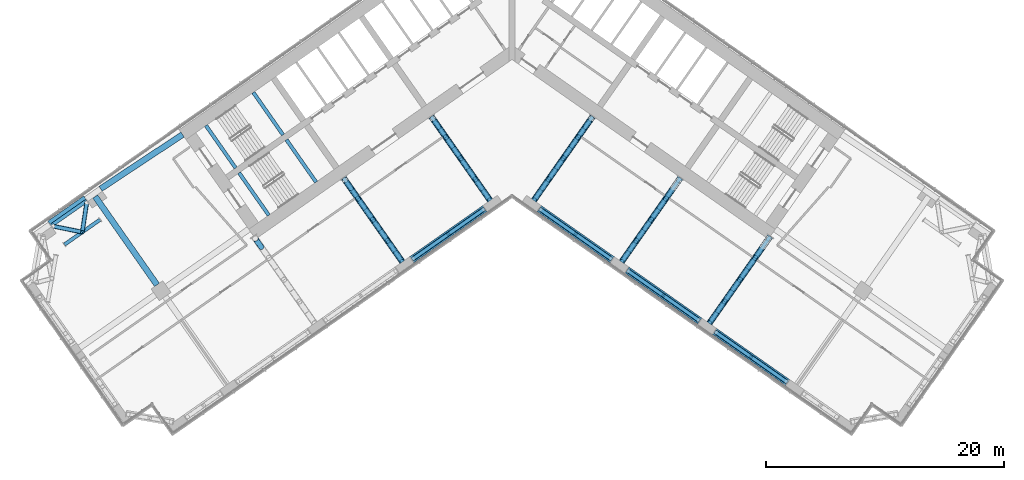
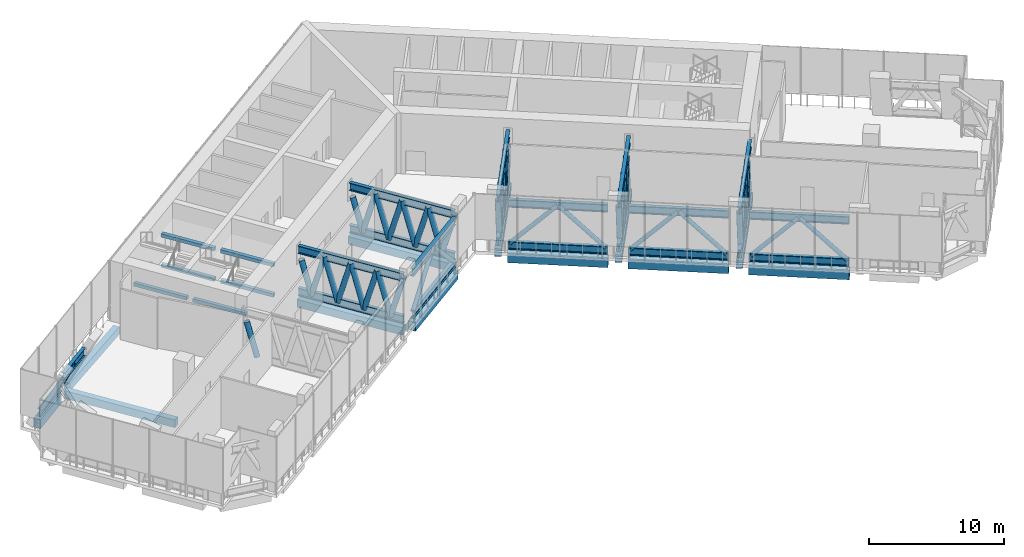
# One storey, part 2 of 24: 69 members, 18 beams.
"""IFC4 building model written with IfcOpenShell, lengths in metres."""

from ifc_helpers import new_model, si_unit, direction, frame, origin, origin_2d, place, context, subcontext, project, spatial, rectangle, hollow_circle, i_section, extrude, material, material_profile, profile_set, type_object, element, save


model = new_model("IFC4")

# Units and contexts
model_context = context("Model", 3, precision=1e-05, world=origin(), true_north=direction((0.0, 1.0)))
body_context = subcontext(model_context, "Body", "Model", "MODEL_VIEW")
ifc_project = project(units=[si_unit("LENGTHUNIT", "METRE"), si_unit("AREAUNIT", "SQUARE_METRE"), si_unit("VOLUMEUNIT", "CUBIC_METRE"), si_unit("PLANEANGLEUNIT", "RADIAN"), si_unit("MASSUNIT", "GRAM", prefix="KILO")], contexts=[model_context])

# Site, building, storey
site_placement = place(None, origin())
site = spatial("IfcSite", under=ifc_project, at=site_placement, CompositionType="ELEMENT")
building_placement = place(site_placement, origin())
building = spatial("IfcBuilding", under=site, at=building_placement, Name="Tel Ilan Convention Tower", CompositionType="ELEMENT")
storey_placement = place(building_placement, frame((0.0, 0.0, 126.5)))
storey = spatial("IfcBuildingStorey", under=building, at=storey_placement, Name="L28", CompositionType="ELEMENT", Elevation=126.5)

# Beams
ifc_material_1 = material(Name="Concrete C40/50", Category="concrete")
ifc_material_profile_1 = material_profile(ifc_material_1, rectangle(XDim=0.5, YDim=0.699951171875, at=origin_2d()), Name="RC 500x700")
ifc_profile_set_1 = profile_set([ifc_material_profile_1], Name="Concrete C40/50")
beam_type_1 = type_object("IfcBeamType", Name="Beam RC 500x700 Concrete C40/50", PredefinedType="BEAM", material=ifc_profile_set_1)
beam_1_placement = place(storey_placement, frame((-34.570556640625, -12.08447265625, -0.6298828125), z_axis=(0.834273603487, 0.551350663847, 0.0), x_axis=(-0.551350663847, 0.834273603487, 0.0)))
element("IfcBeam", 1, at=beam_1_placement, inside=storey, type_object=beam_type_1, Name="L28 beam W-W-B4-core", PredefinedType="BEAM", context=body_context, shape_type="SweptSolid", body=[
    extrude(rectangle(XDim=0.5, YDim=0.699951171875, at=origin_2d()), origin(), (0.0, 0.0, 1.0), 8.2529296875),
])
for number, where, z_axis, x_axis, name in (
    (2, (-1.83740234375, -13.06689453125, -0.6298828125), (-0.573574099654, 0.819153680457, 0.0), (-0.819153680457, -0.573574099654, 0.0), "L28 beam W-W-F1-core"),
    (3, (-9.209716796875, -18.229248046875, -0.6298828125), (-0.573574099654, 0.819153680457, 0.0), (-0.819153680457, -0.573574099654, 0.0), "L28 beam W-W-F2-core"),
):
    element("IfcBeam", number, at=place(storey_placement, frame(where, z_axis=z_axis, x_axis=x_axis)), inside=storey, type_object=beam_type_1, Name=name, PredefinedType="BEAM", context=body_context, shape_type="SweptSolid", body=[
        extrude(rectangle(XDim=0.5, YDim=0.699951171875, at=origin_2d()), origin(), (0.0, 0.0, 1.0), 8.64990234375),
    ])
beam_2_placement = place(storey_placement, frame((-29.83349609375, -20.1572265625, -0.6298828125), z_axis=(-0.57358002233, 0.819149533348, 0.0), x_axis=(-0.819149533348, -0.57358002233, 0.0)))
element("IfcBeam", 4, at=beam_2_placement, inside=storey, type_object=beam_type_1, Name="L28 beam W-W-M4-W-B4", PredefinedType="BEAM", context=body_context, shape_type="SweptSolid", body=[
    extrude(rectangle(XDim=0.5, YDim=0.699951171875, at=origin_2d()), origin(), (0.0, 0.0, 1.0), 9.050048828125),
])
for number, where, z_axis, x_axis, name in (
    (5, (1.83740234375, -13.06689453125, -0.6298828125), (0.573574099654, 0.819153680457, 0.0), (-0.819153680457, 0.573574099654, 0.0), "L28 beam E-E-F1-core"),
    (6, (9.209716796875, -18.229248046875, -0.6298828125), (0.573574099654, 0.819153680457, 0.0), (-0.819153680457, 0.573574099654, 0.0), "L28 beam E-E-F2-core"),
):
    element("IfcBeam", number, at=place(storey_placement, frame(where, z_axis=z_axis, x_axis=x_axis)), inside=storey, type_object=beam_type_1, Name=name, PredefinedType="BEAM", context=body_context, shape_type="SweptSolid", body=[
        extrude(rectangle(XDim=0.5, YDim=0.699951171875, at=origin_2d()), origin(), (0.0, 0.0, 1.0), 8.64990234375),
    ])
beam_3_placement = place(storey_placement, frame((16.58203125, -23.391357421875, -0.6298828125), z_axis=(0.573584999642, 0.819146048141, 0.0), x_axis=(-0.819146048141, 0.573584999642, 0.0)))
element("IfcBeam", 7, at=beam_3_placement, inside=storey, type_object=beam_type_1, Name="L28 beam E-E-F3-core", PredefinedType="BEAM", context=body_context, shape_type="SweptSolid", body=[
    extrude(rectangle(XDim=0.5, YDim=0.699951171875, at=origin_2d()), origin(), (0.0, 0.0, 1.0), 8.949951171875),
])
ifc_material_2 = material(Name="Concrete C40/50", Category="concrete")
ifc_material_profile_2 = material_profile(ifc_material_2, rectangle(XDim=0.60009765625, YDim=0.800048828125, at=origin_2d()), Name="RC 600x800")
ifc_profile_set_2 = profile_set([ifc_material_profile_2], Name="Concrete C40/50")
beam_type_2 = type_object("IfcBeamType", Name="Beam RC 600x800 Concrete C40/50", PredefinedType="BEAM", material=ifc_profile_set_2)
beam_4_placement = place(storey_placement, frame((-2.279541015625, -13.742919921875, -0.679931640625), z_axis=(-0.819147803225, -0.57358249317, 0.0), x_axis=(0.57358249317, -0.819147803225, 0.0)))
element("IfcBeam", 8, at=beam_4_placement, inside=storey, type_object=beam_type_2, Name="L28 beam W-W-F1-W-F2", PredefinedType="BEAM", context=body_context, shape_type="SweptSolid", body=[
    extrude(rectangle(XDim=0.60009765625, YDim=0.800048828125, at=origin_2d()), origin(), (0.0, 0.0, 1.0), 7.500244140625),
])
beam_5_placement = place(storey_placement, frame((-38.841796875, -15.050537109375, -0.679931640625), z_axis=(0.819185419371, 0.573528768842, 0.0), x_axis=(-0.573528768842, 0.819185419371, 0.0)))
element("IfcBeam", 9, at=beam_5_placement, inside=storey, type_object=beam_type_2, Name="L28 beam W-W-BC-W-B4", PredefinedType="BEAM", context=body_context, shape_type="SweptSolid", body=[
    extrude(rectangle(XDim=0.60009765625, YDim=0.800048828125, at=origin_2d()), origin(), (0.0, 0.0, 1.0), 3.699951171875),
])
beam_6_placement = place(storey_placement, frame((2.279541015625, -13.742919921875, -0.679931640625), z_axis=(0.819147803225, -0.57358249317, 0.0), x_axis=(0.57358249317, 0.819147803225, 0.0)))
element("IfcBeam", 10, at=beam_6_placement, inside=storey, type_object=beam_type_2, Name="L28 beam E-E-F1-E-F2", PredefinedType="BEAM", context=body_context, shape_type="SweptSolid", body=[
    extrude(rectangle(XDim=0.60009765625, YDim=0.800048828125, at=origin_2d()), origin(), (0.0, 0.0, 1.0), 7.500244140625),
])
for number, where, z_axis, x_axis, name in (
    (11, (9.652099609375, -18.905029296875, -0.679931640625), (0.81915238829, -0.573575945067, 0.0), (0.573575945067, 0.81915238829, 0.0), "L28 beam E-E-F2-E-F3"),
    (12, (17.0244140625, -24.0673828125, -0.679931640625), (0.81915238829, -0.573575945067, 0.0), (0.573575945067, 0.81915238829, 0.0), "L28 beam E-E-F3-E-F4"),
):
    element("IfcBeam", number, at=place(storey_placement, frame(where, z_axis=z_axis, x_axis=x_axis)), inside=storey, type_object=beam_type_2, Name=name, PredefinedType="BEAM", context=body_context, shape_type="SweptSolid", body=[
        extrude(rectangle(XDim=0.60009765625, YDim=0.800048828125, at=origin_2d()), origin(), (0.0, 0.0, 1.0), 7.5),
    ])

# Members
ifc_material_3 = material(Name="Steel S355", Category="steel")
ifc_material_profile_3 = material_profile(ifc_material_3, i_section(OverallWidth=0.300048828125, OverallDepth=0.699951171875, WebThickness=0.01708984375, FlangeThickness=0.031982421875, FilletRadius=0.027099609375, at=origin_2d()), Name="HEB 700")
ifc_profile_set_3 = profile_set([ifc_material_profile_3], Name="Steel S355")
member_type_1 = type_object("IfcMemberType", Name="Belt Truss Chord HEB 700 Steel S355", PredefinedType="CHORD", material=ifc_profile_set_3)
for number, where, z_axis, x_axis, name in (
    (13, (-2.300048828125, -13.75732421875, 0.35009765625), (-0.819153396637, -0.573574504994, 0.0), (0.573574504994, -0.819153396637, 0.0), "L28 W-F1-W-F2 belt member"),
    (14, (-2.300048828125, -13.75732421875, 4.169921875), (-0.819153396637, -0.573574504994, 0.0), (0.573574504994, -0.819153396637, 0.0), "L28 W-F1-W-F2 belt member"),
):
    element("IfcMember", number, at=place(storey_placement, frame(where, z_axis=z_axis, x_axis=x_axis)), inside=storey, type_object=member_type_1, Name=name, PredefinedType="CHORD", context=body_context, shape_type="SweptSolid", body=[
        extrude(i_section(OverallWidth=0.300048828125, OverallDepth=0.699951171875, WebThickness=0.01708984375, FlangeThickness=0.031982421875, FilletRadius=0.027099609375, at=origin_2d()), origin(), (0.0, 0.0, 1.0), 7.4501953125),
    ])
member_1_placement = place(storey_placement, frame((-38.718994140625, -15.18212890625, 0.35009765625), z_axis=(0.819143920381, 0.57358803832, 0.0), x_axis=(-0.57358803832, 0.819143920381, 0.0)))
element("IfcMember", 15, at=member_1_placement, inside=storey, type_object=member_type_1, Name="L28 W-BC-W-B4 belt member", PredefinedType="CHORD", context=body_context, shape_type="SweptSolid", body=[
    extrude(i_section(OverallWidth=0.300048828125, OverallDepth=0.699951171875, WebThickness=0.01708984375, FlangeThickness=0.031982421875, FilletRadius=0.027099609375, at=origin_2d()), origin(), (0.0, 0.0, 1.0), 3.64990234375),
])
member_2_placement = place(storey_placement, frame((-37.603759765625, -16.775146484375, 4.169921875), z_axis=(0.81916592584, 0.573556610931, 0.0), x_axis=(-0.573556610931, 0.81916592584, 0.0)))
element("IfcMember", 16, at=member_2_placement, inside=storey, type_object=member_type_1, Name="L28 W-BC-W-B4 belt member", PredefinedType="CHORD", context=body_context, shape_type="SweptSolid", body=[
    extrude(i_section(OverallWidth=0.300048828125, OverallDepth=0.699951171875, WebThickness=0.01708984375, FlangeThickness=0.031982421875, FilletRadius=0.027099609375, at=origin_2d()), origin(), (0.0, 0.0, 1.0), 3.650146484375),
])
for number, where, z_axis, x_axis, name in (
    (17, (2.300048828125, -13.75732421875, 0.35009765625), (0.819153396637, -0.573574504994, 0.0), (0.573574504994, 0.819153396637, 0.0), "L28 E-F1-E-F2 belt member"),
    (18, (2.300048828125, -13.75732421875, 4.169921875), (0.819153396637, -0.573574504994, 0.0), (0.573574504994, 0.819153396637, 0.0), "L28 E-F1-E-F2 belt member"),
):
    element("IfcMember", number, at=place(storey_placement, frame(where, z_axis=z_axis, x_axis=x_axis)), inside=storey, type_object=member_type_1, Name=name, PredefinedType="CHORD", context=body_context, shape_type="SweptSolid", body=[
        extrude(i_section(OverallWidth=0.300048828125, OverallDepth=0.699951171875, WebThickness=0.01708984375, FlangeThickness=0.031982421875, FilletRadius=0.027099609375, at=origin_2d()), origin(), (0.0, 0.0, 1.0), 7.4501953125),
    ])
for number, where, z_axis, x_axis, name in (
    (19, (9.672607421875, -18.91943359375, 0.35009765625), (0.819142615253, -0.573589902175, 0.0), (0.573589902175, 0.819142615253, 0.0), "L28 E-F2-E-F3 belt member"),
    (20, (9.672607421875, -18.91943359375, 4.169921875), (0.819142615253, -0.573589902175, 0.0), (0.573589902175, 0.819142615253, 0.0), "L28 E-F2-E-F3 belt member"),
    (21, (17.044921875, -24.08154296875, 0.35009765625), (0.819142615253, -0.573589902175, 0.0), (0.573589902175, 0.819142615253, 0.0), "L28 E-F3-E-F4 belt member"),
    (22, (17.044921875, -24.08154296875, 4.169921875), (0.819142615253, -0.573589902175, 0.0), (0.573589902175, 0.819142615253, 0.0), "L28 E-F3-E-F4 belt member"),
):
    element("IfcMember", number, at=place(storey_placement, frame(where, z_axis=z_axis, x_axis=x_axis)), inside=storey, type_object=member_type_1, Name=name, PredefinedType="CHORD", context=body_context, shape_type="SweptSolid", body=[
        extrude(i_section(OverallWidth=0.300048828125, OverallDepth=0.699951171875, WebThickness=0.01708984375, FlangeThickness=0.031982421875, FilletRadius=0.027099609375, at=origin_2d()), origin(), (0.0, 0.0, 1.0), 7.449951171875),
    ])
ifc_material_4 = material(Name="Steel S355", Category="steel")
ifc_material_profile_4 = material_profile(ifc_material_4, hollow_circle(Radius=0.177734375, WallThickness=0.01416015625, at=origin_2d()), Name="CHS 355.6x14.2")
ifc_profile_set_4 = profile_set([ifc_material_profile_4], Name="Steel S355")
member_type_2 = type_object("IfcMemberType", Name="Belt Truss Diagonal CHS 355.6x14.2 Steel S355", PredefinedType="BRACE", material=ifc_profile_set_4)
for number, where, z_axis, x_axis, name in (
    (23, (-2.41552734375, -13.838134765625, 0.51904296875), (-0.573876079027, -0.401799150625, 0.713599109078), (0.573544630391, -0.819174314142, 0.0), "L28 W-F1-W-F2 belt member"),
    (24, (-5.3515625, -15.893798828125, 4.169921875), (-0.573833070124, -0.401850169108, -0.713604967205), (0.573622342335, -0.819119898656, 0.0), "L28 W-F1-W-F2 belt member"),
):
    element("IfcMember", number, at=place(storey_placement, frame(where, z_axis=z_axis, x_axis=x_axis)), inside=storey, type_object=member_type_2, Name=name, PredefinedType="BRACE", context=body_context, shape_type="SweptSolid", body=[
        extrude(hollow_circle(Radius=0.177734375, WallThickness=0.01416015625, at=origin_2d()), origin(), (0.0, 0.0, 1.0), 5.1162109375),
    ])
member_3_placement = place(storey_placement, frame((-38.561279296875, -15.232666015625, 0.60888671875), z_axis=(0.56353029809, -0.113928930462, 0.818201565593), x_axis=(0.198160886841, 0.980169507242, 0.0)))
element("IfcMember", 25, at=member_3_placement, inside=storey, type_object=member_type_2, Name="L28 W-BC-W-B4 belt member", PredefinedType="BRACE", context=body_context, shape_type="SweptSolid", body=[
    extrude(hollow_circle(Radius=0.177734375, WallThickness=0.01416015625, at=origin_2d()), origin(), (0.0, 0.0, 1.0), 4.352294921875),
])
member_4_placement = place(storey_placement, frame((-36.108642578125, -15.728515625, 4.169921875), z_axis=(0.085659398021, 0.568482213196, -0.818223955168), x_axis=(-0.988837364579, 0.148998880572, 0.0)))
element("IfcMember", 26, at=member_4_placement, inside=storey, type_object=member_type_2, Name="L28 W-BC-W-B4 belt member", PredefinedType="BRACE", context=body_context, shape_type="SweptSolid", body=[
    extrude(hollow_circle(Radius=0.177734375, WallThickness=0.01416015625, at=origin_2d()), origin(), (0.0, 0.0, 1.0), 4.35205078125),
])
for number, where, z_axis, x_axis, name in (
    (27, (2.41552734375, -13.838134765625, 0.51904296875), (0.573876079027, -0.401799150625, 0.713599109078), (0.573544630391, 0.819174314142, 0.0), "L28 E-F1-E-F2 belt member"),
    (28, (5.3515625, -15.893798828125, 4.169921875), (0.573833070124, -0.401850169108, -0.713604967205), (0.573622342335, 0.819119898656, 0.0), "L28 E-F1-E-F2 belt member"),
    (29, (9.787841796875, -19.000244140625, 0.51904296875), (0.573876079027, -0.401799150625, 0.713599109078), (0.573544630391, 0.819174314142, 0.0), "L28 E-F2-E-F3 belt member"),
    (30, (12.723876953125, -21.055908203125, 4.169921875), (0.573865075363, -0.401839165111, -0.713585426324), (0.57359033735, 0.819142310529, 0.0), "L28 E-F2-E-F3 belt member"),
):
    element("IfcMember", number, at=place(storey_placement, frame(where, z_axis=z_axis, x_axis=x_axis)), inside=storey, type_object=member_type_2, Name=name, PredefinedType="BRACE", context=body_context, shape_type="SweptSolid", body=[
        extrude(hollow_circle(Radius=0.177734375, WallThickness=0.01416015625, at=origin_2d()), origin(), (0.0, 0.0, 1.0), 5.1162109375),
    ])
for number, where, z_axis, x_axis, name in (
    (31, (17.160400390625, -24.16259765625, 0.51904296875), (0.573844073778, -0.401810153947, 0.713618651084), (0.573576635327, 0.819151904965, 0.0), "L28 E-F3-E-F4 belt member"),
    (32, (20.09619140625, -26.21826171875, 4.169921875), (0.573844073778, -0.401810153947, -0.713618651084), (0.573576635327, 0.819151904965, 0.0), "L28 E-F3-E-F4 belt member"),
):
    element("IfcMember", number, at=place(storey_placement, frame(where, z_axis=z_axis, x_axis=x_axis)), inside=storey, type_object=member_type_2, Name=name, PredefinedType="BRACE", context=body_context, shape_type="SweptSolid", body=[
        extrude(hollow_circle(Radius=0.177734375, WallThickness=0.01416015625, at=origin_2d()), origin(), (0.0, 0.0, 1.0), 5.115966796875),
    ])

# Beams
ifc_material_5 = material(Name="Concrete C40/50", Category="concrete")
ifc_material_profile_5 = material_profile(ifc_material_5, rectangle(XDim=0.300048828125, YDim=0.300048828125, at=origin_2d()), Name="RC 300x300")
ifc_profile_set_5 = profile_set([ifc_material_profile_5], Name="Concrete C40/50")
beam_type_3 = type_object("IfcBeamType", Name="Landing Beam RC 300x300 Concrete C40/50", PredefinedType="BEAM", material=ifc_profile_set_5)
beam_7_placement = place(storey_placement, frame((-19.242919921875, -7.553466796875, 1.02490234375), z_axis=(-0.57356780395, 0.819158088694, 0.0), x_axis=(-0.819158088694, -0.57356780395, 0.0)))
element("IfcBeam", 33, at=beam_7_placement, inside=storey, type_object=beam_type_3, Name="S1 landing beam L28.1", PredefinedType="BEAM", context=body_context, shape_type="SweptSolid", body=[
    extrude(rectangle(XDim=0.300048828125, YDim=0.300048828125, at=origin_2d()), origin(), (0.0, 0.0, 1.0), 4.35009765625),
])
beam_8_placement = place(storey_placement, frame((-23.219482421875, -10.337646484375, 2.39990234375), z_axis=(-0.573556512523, 0.819165994742, 0.0), x_axis=(-0.819165994742, -0.573556512523, 0.0)))
element("IfcBeam", 34, at=beam_8_placement, inside=storey, type_object=beam_type_3, Name="S1 landing beam L28.2", PredefinedType="BEAM", context=body_context, shape_type="SweptSolid", body=[
    extrude(rectangle(XDim=0.300048828125, YDim=0.300048828125, at=origin_2d()), origin(), (0.0, 0.0, 1.0), 4.349853515625),
])
beam_9_placement = place(storey_placement, frame((-19.242919921875, -7.553466796875, 3.77490234375), z_axis=(-0.57356780395, 0.819158088694, 0.0), x_axis=(-0.819158088694, -0.57356780395, 0.0)))
element("IfcBeam", 35, at=beam_9_placement, inside=storey, type_object=beam_type_3, Name="S1 landing beam L28.3", PredefinedType="BEAM", context=body_context, shape_type="SweptSolid", body=[
    extrude(rectangle(XDim=0.300048828125, YDim=0.300048828125, at=origin_2d()), origin(), (0.0, 0.0, 1.0), 4.35009765625),
])
for number, where, z_axis, x_axis, name in (
    (36, (-16.461181640625, -11.526123046875, 1.02490234375), (-0.573594173421, 0.819139624372, 0.0), (-0.819139624372, -0.573594173421, 0.0), "S2 landing beam L28.1"),
    (37, (-20.4375, -14.310546875, 2.39990234375), (-0.573594173421, 0.819139624372, 0.0), (-0.819139624372, -0.573594173421, 0.0), "S2 landing beam L28.2"),
    (38, (-16.461181640625, -11.526123046875, 3.77490234375), (-0.573594173421, 0.819139624372, 0.0), (-0.819139624372, -0.573594173421, 0.0), "S2 landing beam L28.3"),
):
    element("IfcBeam", number, at=place(storey_placement, frame(where, z_axis=z_axis, x_axis=x_axis)), inside=storey, type_object=beam_type_3, Name=name, PredefinedType="BEAM", context=body_context, shape_type="SweptSolid", body=[
        extrude(rectangle(XDim=0.300048828125, YDim=0.300048828125, at=origin_2d()), origin(), (0.0, 0.0, 1.0), 4.349853515625),
    ])

# Members
ifc_material_6 = material(Name="Steel S355", Category="steel")
ifc_material_profile_6 = material_profile(ifc_material_6, i_section(OverallWidth=0.300048828125, OverallDepth=0.699951171875, WebThickness=0.01708984375, FlangeThickness=0.031982421875, FilletRadius=0.027099609375, at=origin_2d()), Name="HEB 700")
ifc_profile_set_6 = profile_set([ifc_material_profile_6], Name="Steel S355")
member_type_3 = type_object("IfcMemberType", Name="Outrigger Chord HEB 700 Steel S355", PredefinedType="CHORD", material=ifc_profile_set_6)
for number, where, z_axis, x_axis, name in (
    (39, (-1.83740234375, -13.06689453125, 0.35009765625), (-0.573568788328, 0.819157399439, 0.0), (-0.819157399439, -0.573568788328, 0.0), "L28 W-F1 outrigger member"),
    (40, (-1.83740234375, -13.06689453125, 4.169921875), (-0.573568788328, 0.819157399439, 0.0), (-0.819157399439, -0.573568788328, 0.0), "L28 W-F1 outrigger member"),
):
    element("IfcMember", number, at=place(storey_placement, frame(where, z_axis=z_axis, x_axis=x_axis)), inside=storey, type_object=member_type_3, Name=name, PredefinedType="CHORD", context=body_context, shape_type="SweptSolid", body=[
        extrude(i_section(OverallWidth=0.300048828125, OverallDepth=0.699951171875, WebThickness=0.01708984375, FlangeThickness=0.031982421875, FilletRadius=0.027099609375, at=origin_2d()), origin(), (0.0, 0.0, 1.0), 8.619873046875),
    ])
for number, where, z_axis, x_axis, name in (
    (41, (-9.209716796875, -18.229248046875, 0.35009765625), (-0.573587793123, 0.819144092075, 0.0), (-0.819144092075, -0.573587793123, 0.0), "L28 W-F2 outrigger member"),
    (42, (-9.209716796875, -18.229248046875, 4.169921875), (-0.573587793123, 0.819144092075, 0.0), (-0.819144092075, -0.573587793123, 0.0), "L28 W-F2 outrigger member"),
):
    element("IfcMember", number, at=place(storey_placement, frame(where, z_axis=z_axis, x_axis=x_axis)), inside=storey, type_object=member_type_3, Name=name, PredefinedType="CHORD", context=body_context, shape_type="SweptSolid", body=[
        extrude(i_section(OverallWidth=0.300048828125, OverallDepth=0.699951171875, WebThickness=0.01708984375, FlangeThickness=0.031982421875, FilletRadius=0.027099609375, at=origin_2d()), origin(), (0.0, 0.0, 1.0), 8.6201171875),
    ])
for number, where, z_axis, x_axis, name in (
    (43, (1.83740234375, -13.06689453125, 0.35009765625), (0.573568788328, 0.819157399439, 0.0), (-0.819157399439, 0.573568788328, 0.0), "L28 E-F1 outrigger member"),
    (44, (1.83740234375, -13.06689453125, 4.169921875), (0.573568788328, 0.819157399439, 0.0), (-0.819157399439, 0.573568788328, 0.0), "L28 E-F1 outrigger member"),
):
    element("IfcMember", number, at=place(storey_placement, frame(where, z_axis=z_axis, x_axis=x_axis)), inside=storey, type_object=member_type_3, Name=name, PredefinedType="CHORD", context=body_context, shape_type="SweptSolid", body=[
        extrude(i_section(OverallWidth=0.300048828125, OverallDepth=0.699951171875, WebThickness=0.01708984375, FlangeThickness=0.031982421875, FilletRadius=0.027099609375, at=origin_2d()), origin(), (0.0, 0.0, 1.0), 8.619873046875),
    ])
for number, where, z_axis, x_axis, name in (
    (45, (9.209716796875, -18.229248046875, 0.35009765625), (0.573587793123, 0.819144092075, 0.0), (-0.819144092075, 0.573587793123, 0.0), "L28 E-F2 outrigger member"),
    (46, (9.209716796875, -18.229248046875, 4.169921875), (0.573587793123, 0.819144092075, 0.0), (-0.819144092075, 0.573587793123, 0.0), "L28 E-F2 outrigger member"),
):
    element("IfcMember", number, at=place(storey_placement, frame(where, z_axis=z_axis, x_axis=x_axis)), inside=storey, type_object=member_type_3, Name=name, PredefinedType="CHORD", context=body_context, shape_type="SweptSolid", body=[
        extrude(i_section(OverallWidth=0.300048828125, OverallDepth=0.699951171875, WebThickness=0.01708984375, FlangeThickness=0.031982421875, FilletRadius=0.027099609375, at=origin_2d()), origin(), (0.0, 0.0, 1.0), 8.6201171875),
    ])
for number, where, z_axis, x_axis, name in (
    (47, (16.58203125, -23.391357421875, 0.35009765625), (0.573585409399, 0.81914576122, 0.0), (-0.81914576122, 0.573585409399, 0.0), "L28 E-F3 outrigger member"),
    (48, (16.58203125, -23.391357421875, 4.169921875), (0.573585409399, 0.81914576122, 0.0), (-0.81914576122, 0.573585409399, 0.0), "L28 E-F3 outrigger member"),
):
    element("IfcMember", number, at=place(storey_placement, frame(where, z_axis=z_axis, x_axis=x_axis)), inside=storey, type_object=member_type_3, Name=name, PredefinedType="CHORD", context=body_context, shape_type="SweptSolid", body=[
        extrude(i_section(OverallWidth=0.300048828125, OverallDepth=0.699951171875, WebThickness=0.01708984375, FlangeThickness=0.031982421875, FilletRadius=0.027099609375, at=origin_2d()), origin(), (0.0, 0.0, 1.0), 8.920166015625),
    ])
ifc_material_7 = material(Name="Steel S355", Category="steel")
ifc_material_profile_7 = material_profile(ifc_material_7, hollow_circle(Radius=0.228515625, WallThickness=0.01611328125, at=origin_2d()), Name="CHS 457x16")
ifc_profile_set_7 = profile_set([ifc_material_profile_7], Name="Steel S355")
member_type_4 = type_object("IfcMemberType", Name="Outrigger Diagonal CHS 457x16 Steel S355", PredefinedType="BRACE", material=ifc_profile_set_7)
for number, where, z_axis, x_axis, name in (
    (49, (-1.83740234375, -13.06689453125, 4.169921875), (-0.156206704136, 0.223055793661, -0.962208697995), (-0.819115195216, -0.573629058684, 0.0), "L28 W-F1 outrigger member"),
    (50, (-2.45751953125, -12.181396484375, 0.35009765625), (-0.156204561097, 0.223114231362, 0.962195497213), (-0.819189486731, -0.573522959288, 0.0), "L28 W-F1 outrigger member"),
    (51, (-3.07763671875, -11.295654296875, 4.169921875), (-0.156264557551, 0.223112087681, -0.96218625244), (-0.819083401876, -0.573674455393, 0.0), "L28 W-F1 outrigger member"),
    (52, (-3.697998046875, -10.409912109375, 0.35009765625), (-0.156204561097, 0.223114231362, 0.962195497213), (-0.819189486731, -0.573522959288, 0.0), "L28 W-F1 outrigger member"),
    (53, (-4.318115234375, -9.524169921875, 4.169921875), (-0.156204561097, 0.223114231362, -0.962195497213), (-0.819189486731, -0.573522959288, 0.0), "L28 W-F1 outrigger member"),
    (54, (-4.938232421875, -8.638427734375, 0.35009765625), (-0.156204561097, 0.223114231362, 0.962195497213), (-0.819189486731, -0.573522959288, 0.0), "L28 W-F1 outrigger member"),
    (55, (-5.558349609375, -7.752685546875, 4.169921875), (-0.156264557551, 0.223112087681, -0.96218625244), (-0.819083401876, -0.573674455393, 0.0), "L28 W-F1 outrigger member"),
):
    element("IfcMember", number, at=place(storey_placement, frame(where, z_axis=z_axis, x_axis=x_axis)), inside=storey, type_object=member_type_4, Name=name, PredefinedType="BRACE", context=body_context, shape_type="SweptSolid", body=[
        extrude(hollow_circle(Radius=0.228515625, WallThickness=0.01611328125, at=origin_2d()), origin(), (0.0, 0.0, 1.0), 3.969970703125),
    ])
member_5_placement = place(storey_placement, frame((-6.1787109375, -6.866943359375, 0.35009765625), z_axis=(-0.156181482206, 0.223081900615, 0.962206739861), x_axis=(-0.819190252408, -0.573521865634, 0.0)))
element("IfcMember", 56, at=member_5_placement, inside=storey, type_object=member_type_4, Name="L28 W-F1 outrigger member", PredefinedType="BRACE", context=body_context, shape_type="SweptSolid", body=[
    extrude(hollow_circle(Radius=0.228515625, WallThickness=0.01611328125, at=origin_2d()), origin(), (0.0, 0.0, 1.0), 3.032470703125),
])
for number, where, z_axis, x_axis, name in (
    (57, (-9.209716796875, -18.229248046875, 4.169921875), (-0.156204561097, 0.223114231362, -0.962195497213), (-0.819189486731, -0.573522959288, 0.0), "L28 W-F2 outrigger member"),
    (58, (-9.829833984375, -17.343505859375, 0.35009765625), (-0.156264557551, 0.223112087681, 0.96218625244), (-0.819083401876, -0.573674455393, 0.0), "L28 W-F2 outrigger member"),
    (59, (-10.4501953125, -16.457763671875, 4.169921875), (-0.156204561097, 0.223114231362, -0.962195497213), (-0.819189486731, -0.573522959288, 0.0), "L28 W-F2 outrigger member"),
    (60, (-11.0703125, -15.572021484375, 0.35009765625), (-0.156204561097, 0.223114231362, 0.962195497213), (-0.819189486731, -0.573522959288, 0.0), "L28 W-F2 outrigger member"),
    (61, (-11.6904296875, -14.686279296875, 4.169921875), (-0.156206704136, 0.223055793661, -0.962208697995), (-0.819115195216, -0.573629058684, 0.0), "L28 W-F2 outrigger member"),
    (62, (-12.310546875, -13.80078125, 0.35009765625), (-0.156262413228, 0.223170522473, 0.962173048943), (-0.819157681794, -0.573568385075, 0.0), "L28 W-F2 outrigger member"),
    (63, (-12.930908203125, -12.914794921875, 4.169921875), (-0.156206704136, 0.223055793661, -0.962208697995), (-0.819115195216, -0.573629058684, 0.0), "L28 W-F2 outrigger member"),
):
    element("IfcMember", number, at=place(storey_placement, frame(where, z_axis=z_axis, x_axis=x_axis)), inside=storey, type_object=member_type_4, Name=name, PredefinedType="BRACE", context=body_context, shape_type="SweptSolid", body=[
        extrude(hollow_circle(Radius=0.228515625, WallThickness=0.01611328125, at=origin_2d()), origin(), (0.0, 0.0, 1.0), 3.969970703125),
    ])
member_6_placement = place(storey_placement, frame((-13.551025390625, -12.029296875, 0.35009765625), z_axis=(-0.156181482206, 0.223081900615, 0.962206739861), x_axis=(-0.819190252408, -0.573521865634, 0.0)))
element("IfcMember", 64, at=member_6_placement, inside=storey, type_object=member_type_4, Name="L28 W-F2 outrigger member", PredefinedType="BRACE", context=body_context, shape_type="SweptSolid", body=[
    extrude(hollow_circle(Radius=0.228515625, WallThickness=0.01611328125, at=origin_2d()), origin(), (0.0, 0.0, 1.0), 3.032470703125),
])
member_7_placement = place(storey_placement, frame((-21.073974609375, -16.976318359375, 0.35009765625), z_axis=(-0.161181155571, 0.23021340012, 0.959699132798), x_axis=(-0.819178797736, -0.573538226572, 0.0)))
element("IfcMember", 65, at=member_7_placement, inside=storey, type_object=member_type_4, Name="L28 W-F3 outrigger member", PredefinedType="BRACE", context=body_context, shape_type="SweptSolid", body=[
    extrude(hollow_circle(Radius=0.228515625, WallThickness=0.01611328125, at=origin_2d()), origin(), (0.0, 0.0, 1.0), 3.0732421875),
])
for number, where, z_axis, x_axis, name in (
    (66, (1.83740234375, -13.06689453125, 4.169921875), (0.156206704136, 0.223055793661, -0.962208697995), (-0.819115195216, 0.573629058684, 0.0), "L28 E-F1 outrigger member"),
    (67, (2.45751953125, -12.181396484375, 0.35009765625), (0.156204561097, 0.223114231362, 0.962195497213), (-0.819189486731, 0.573522959288, 0.0), "L28 E-F1 outrigger member"),
    (68, (3.07763671875, -11.295654296875, 4.169921875), (0.156264557551, 0.223112087681, -0.96218625244), (-0.819083401876, 0.573674455393, 0.0), "L28 E-F1 outrigger member"),
    (69, (3.697998046875, -10.409912109375, 0.35009765625), (0.156204561097, 0.223114231362, 0.962195497213), (-0.819189486731, 0.573522959288, 0.0), "L28 E-F1 outrigger member"),
    (70, (4.318115234375, -9.524169921875, 4.169921875), (0.156204561097, 0.223114231362, -0.962195497213), (-0.819189486731, 0.573522959288, 0.0), "L28 E-F1 outrigger member"),
    (71, (4.938232421875, -8.638427734375, 0.35009765625), (0.156204561097, 0.223114231362, 0.962195497213), (-0.819189486731, 0.573522959288, 0.0), "L28 E-F1 outrigger member"),
    (72, (5.558349609375, -7.752685546875, 4.169921875), (0.156264557551, 0.223112087681, -0.96218625244), (-0.819083401876, 0.573674455393, 0.0), "L28 E-F1 outrigger member"),
):
    element("IfcMember", number, at=place(storey_placement, frame(where, z_axis=z_axis, x_axis=x_axis)), inside=storey, type_object=member_type_4, Name=name, PredefinedType="BRACE", context=body_context, shape_type="SweptSolid", body=[
        extrude(hollow_circle(Radius=0.228515625, WallThickness=0.01611328125, at=origin_2d()), origin(), (0.0, 0.0, 1.0), 3.969970703125),
    ])
member_8_placement = place(storey_placement, frame((6.1787109375, -6.866943359375, 0.35009765625), z_axis=(0.156181482206, 0.223081900615, 0.962206739861), x_axis=(-0.819190252408, 0.573521865634, 0.0)))
element("IfcMember", 73, at=member_8_placement, inside=storey, type_object=member_type_4, Name="L28 E-F1 outrigger member", PredefinedType="BRACE", context=body_context, shape_type="SweptSolid", body=[
    extrude(hollow_circle(Radius=0.228515625, WallThickness=0.01611328125, at=origin_2d()), origin(), (0.0, 0.0, 1.0), 3.032470703125),
])
for number, where, z_axis, x_axis, name in (
    (74, (9.209716796875, -18.229248046875, 4.169921875), (0.156204561097, 0.223114231362, -0.962195497213), (-0.819189486731, 0.573522959288, 0.0), "L28 E-F2 outrigger member"),
    (75, (9.829833984375, -17.343505859375, 0.35009765625), (0.156264557551, 0.223112087681, 0.96218625244), (-0.819083401876, 0.573674455393, 0.0), "L28 E-F2 outrigger member"),
    (76, (10.4501953125, -16.457763671875, 4.169921875), (0.156204561097, 0.223114231362, -0.962195497213), (-0.819189486731, 0.573522959288, 0.0), "L28 E-F2 outrigger member"),
    (77, (11.0703125, -15.572021484375, 0.35009765625), (0.156204561097, 0.223114231362, 0.962195497213), (-0.819189486731, 0.573522959288, 0.0), "L28 E-F2 outrigger member"),
    (78, (11.6904296875, -14.686279296875, 4.169921875), (0.156206704136, 0.223055793661, -0.962208697995), (-0.819115195216, 0.573629058684, 0.0), "L28 E-F2 outrigger member"),
    (79, (12.310546875, -13.80078125, 0.35009765625), (0.156262413228, 0.223170522473, 0.962173048943), (-0.819157681794, 0.573568385075, 0.0), "L28 E-F2 outrigger member"),
    (80, (12.930908203125, -12.914794921875, 4.169921875), (0.156206704136, 0.223055793661, -0.962208697995), (-0.819115195216, 0.573629058684, 0.0), "L28 E-F2 outrigger member"),
):
    element("IfcMember", number, at=place(storey_placement, frame(where, z_axis=z_axis, x_axis=x_axis)), inside=storey, type_object=member_type_4, Name=name, PredefinedType="BRACE", context=body_context, shape_type="SweptSolid", body=[
        extrude(hollow_circle(Radius=0.228515625, WallThickness=0.01611328125, at=origin_2d()), origin(), (0.0, 0.0, 1.0), 3.969970703125),
    ])
for number, where, z_axis, x_axis, name in (
    (81, (16.58203125, -23.391357421875, 4.169921875), (0.161256796296, 0.230200363826, -0.959689553003), (-0.819037072618, 0.573740597899, 0.0), "L28 E-F3 outrigger member"),
    (82, (17.223876953125, -22.47509765625, 0.35009765625), (0.16119477633, 0.23026072692, 0.959685491045), (-0.819211415764, 0.573491635756, 0.0), "L28 E-F3 outrigger member"),
    (83, (17.865478515625, -21.55859375, 4.169921875), (0.16119477633, 0.23026072692, -0.959685491045), (-0.819211415764, 0.573491635756, 0.0), "L28 E-F3 outrigger member"),
    (84, (18.507080078125, -20.64208984375, 0.35009765625), (0.16119477633, 0.23026072692, 0.959685491045), (-0.819211415764, 0.573491635756, 0.0), "L28 E-F3 outrigger member"),
    (85, (19.148681640625, -19.7255859375, 4.169921875), (0.161254519101, 0.230258449869, -0.959676000707), (-0.81910889168, 0.57363805973, 0.0), "L28 E-F3 outrigger member"),
    (86, (19.79052734375, -18.80908203125, 0.35009765625), (0.161197052726, 0.230202640366, 0.959699043743), (-0.819139624372, 0.573594173421, 0.0), "L28 E-F3 outrigger member"),
    (87, (20.43212890625, -17.892822265625, 4.169921875), (0.161254519101, 0.230258449869, -0.959676000707), (-0.81910889168, 0.57363805973, 0.0), "L28 E-F3 outrigger member"),
):
    element("IfcMember", number, at=place(storey_placement, frame(where, z_axis=z_axis, x_axis=x_axis)), inside=storey, type_object=member_type_4, Name=name, PredefinedType="BRACE", context=body_context, shape_type="SweptSolid", body=[
        extrude(hollow_circle(Radius=0.228515625, WallThickness=0.01611328125, at=origin_2d()), origin(), (0.0, 0.0, 1.0), 3.980224609375),
    ])

save(model, "model.ifc")
